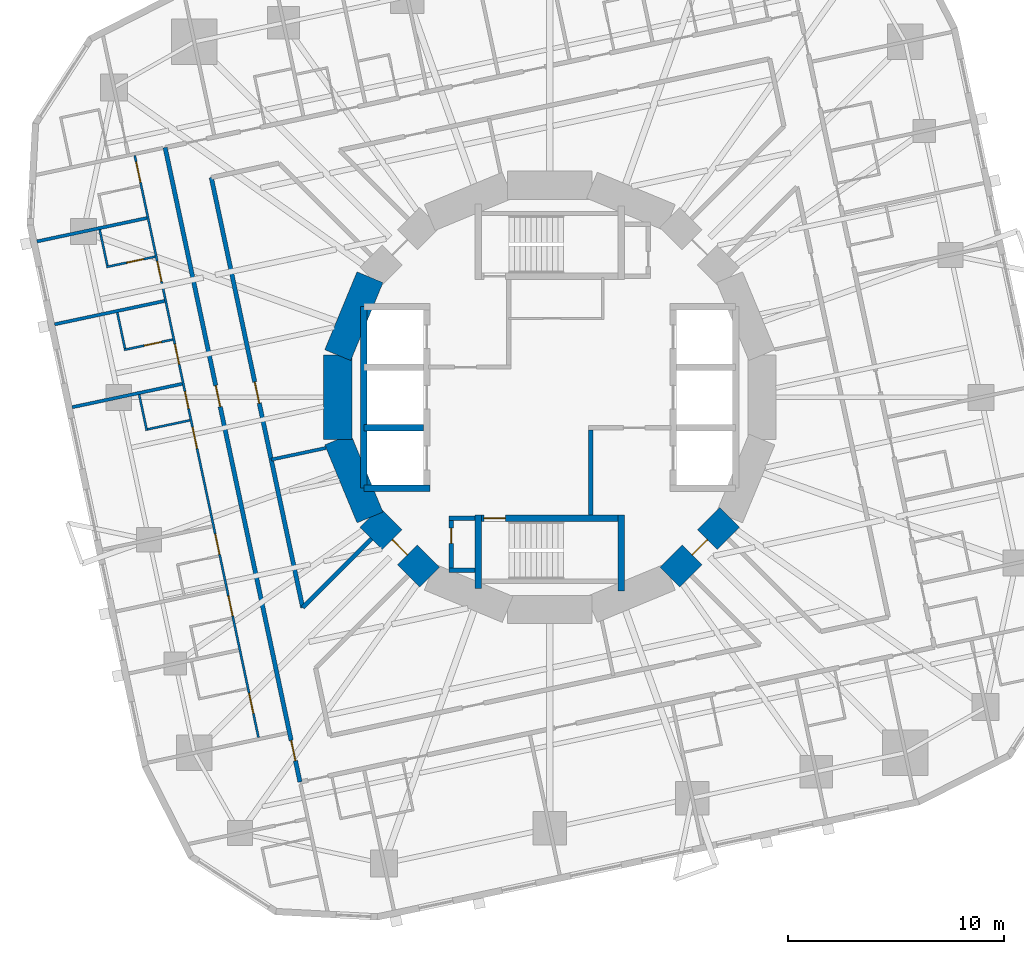
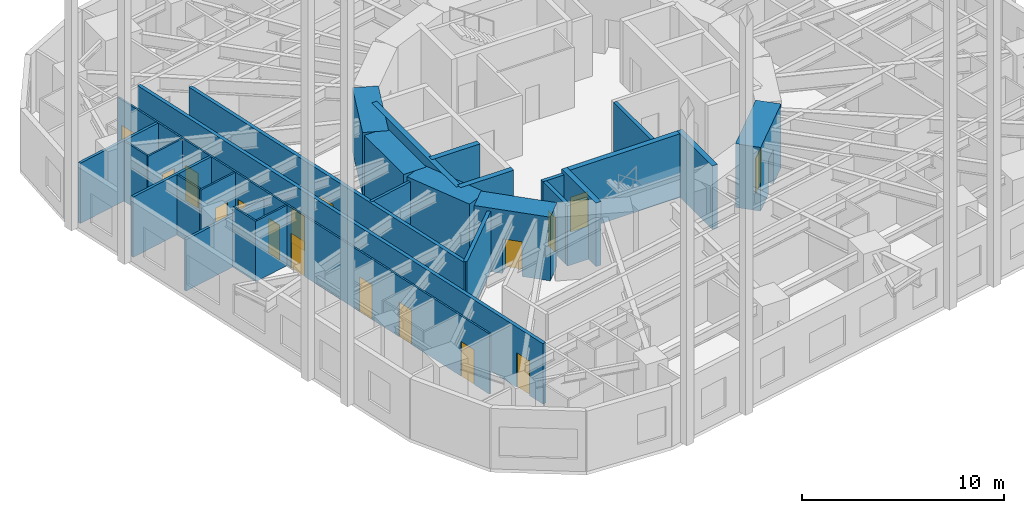
# One storey, part 6 of 12: 29 walls, 17 doors, 17 openings.
"""IFC4 building model written with IfcOpenShell, lengths in metres."""

from ifc_helpers import new_model, si_unit, direction, frame, frame_2d, origin, place, context, subcontext, project, spatial, rectangle, extrude, material, layer, layer_set, type_object, element, fill, save


model = new_model("IFC4")

# Units and contexts
model_context = context("Model", 3, precision=1e-05, world=origin(), true_north=direction((0.0, 1.0)))
body_context = subcontext(model_context, "Body", "Model", "MODEL_VIEW")
ifc_project = project(units=[si_unit("LENGTHUNIT", "METRE"), si_unit("AREAUNIT", "SQUARE_METRE"), si_unit("VOLUMEUNIT", "CUBIC_METRE"), si_unit("PLANEANGLEUNIT", "RADIAN"), si_unit("MASSUNIT", "GRAM", prefix="KILO")], contexts=[model_context])

# Site, building, storey
site_placement = place(None, origin())
site = spatial("IfcSite", under=ifc_project, at=site_placement, CompositionType="ELEMENT")
building_placement = place(site_placement, origin())
building = spatial("IfcBuilding", under=site, at=building_placement, Name="Nakasero Lantern House", CompositionType="ELEMENT")
storey_placement = place(building_placement, frame((0.0, 0.0, 101.14990234375)))
storey = spatial("IfcBuildingStorey", under=building, at=storey_placement, Name="L24", CompositionType="ELEMENT", Elevation=101.14990234375)

# Wall, openings, doors
ifc_material_1 = material(Name="Blockwork", Category="masonry")
ifc_layer_1 = layer(ifc_material_1, 0.10009765625)
ifc_layer_set_1 = layer_set([ifc_layer_1], Name="Cluster hall wall 100")
wall_type_1 = type_object("IfcWallType", Name="Cluster hall wall 100", PredefinedType="PARTITIONING", material=ifc_layer_set_1)
wall_1_placement = place(storey_placement, frame((-19.193603515625, 11.1787109375, 0.0), z_axis=(0.0, 0.0, 1.0), x_axis=(0.207915639441, -0.97814676142, 0.0)))
wall_1 = element("IfcWall", 1, at=wall_1_placement, inside=storey, type_object=wall_type_1, Name="Cluster hall wall L24 HW2-0", PredefinedType="PARTITIONING", context=body_context, shape_type="SweptSolid", body=[
    extrude(rectangle(XDim=27.513427734375, YDim=0.10009765625, at=frame_2d((13.7568359375, 0.0))), origin(), (0.0, 0.0, 1.0), 3.650146484375),
])
opening_1_placement = place(wall_1_placement, frame((12.848876953125, 0.0, 0.0)))
opening_1 = element("IfcOpeningElement", 2, at=opening_1_placement, cuts=wall_1, Name="Opening D03", PredefinedType="OPENING", context=body_context, shape_type="SweptSolid", body=[
    extrude(rectangle(XDim=1.0, YDim=2.10009765625, at=frame_2d((0.5, 1.050048828125))), frame((0.0, 0.070068359375, 0.0), z_axis=(0.0, -1.0, 0.0), x_axis=(1.0, 0.0, 0.0)), (0.0, 0.0, 1.0), 0.14013671875),
])
opening_2_placement = place(wall_1_placement, frame((11.155029296875, 0.0, 0.0)))
opening_2 = element("IfcOpeningElement", 3, at=opening_2_placement, cuts=wall_1, Name="Opening D02", PredefinedType="OPENING", context=body_context, shape_type="SweptSolid", body=[
    extrude(rectangle(XDim=0.800048828125, YDim=2.10009765625, at=frame_2d((0.39990234375, 1.050048828125))), frame((0.0, 0.070068359375, 0.0), z_axis=(0.0, -1.0, 0.0), x_axis=(1.0, 0.0, 0.0)), (0.0, 0.0, 1.0), 0.14013671875),
])
opening_3_placement = place(wall_1_placement, frame((0.300048828125, 0.0, 0.0)))
opening_3 = element("IfcOpeningElement", 4, at=opening_3_placement, cuts=wall_1, Name="Opening D01", PredefinedType="OPENING", context=body_context, shape_type="SweptSolid", body=[
    extrude(rectangle(XDim=0.949951171875, YDim=2.10009765625, at=frame_2d((0.47509765625, 1.050048828125))), frame((0.0, 0.070068359375, 0.0), z_axis=(0.0, -1.0, 0.0), x_axis=(1.0, 0.0, 0.0)), (0.0, 0.0, 1.0), 0.14013671875),
])
opening_4_placement = place(wall_1_placement, frame((4.9912109375, 0.0, 0.0)))
opening_4 = element("IfcOpeningElement", 5, at=opening_4_placement, cuts=wall_1, Name="Opening D01", PredefinedType="OPENING", context=body_context, shape_type="SweptSolid", body=[
    extrude(rectangle(XDim=0.949951171875, YDim=2.10009765625, at=frame_2d((0.47509765625, 1.050048828125))), frame((0.0, 0.070068359375, 0.0), z_axis=(0.0, -1.0, 0.0), x_axis=(1.0, 0.0, 0.0)), (0.0, 0.0, 1.0), 0.14013671875),
])
opening_5_placement = place(wall_1_placement, frame((8.91064453125, 0.0, 0.0)))
opening_5 = element("IfcOpeningElement", 6, at=opening_5_placement, cuts=wall_1, Name="Opening D01", PredefinedType="OPENING", context=body_context, shape_type="SweptSolid", body=[
    extrude(rectangle(XDim=0.949951171875, YDim=2.10009765625, at=frame_2d((0.47509765625, 1.050048828125))), frame((0.0, 0.070068359375, 0.0), z_axis=(0.0, -1.0, 0.0), x_axis=(1.0, 0.0, 0.0)), (0.0, 0.0, 1.0), 0.14013671875),
])
opening_6_placement = place(wall_1_placement, frame((17.892578125, 0.0, 0.0)))
opening_6 = element("IfcOpeningElement", 7, at=opening_6_placement, cuts=wall_1, Name="Opening D01", PredefinedType="OPENING", context=body_context, shape_type="SweptSolid", body=[
    extrude(rectangle(XDim=0.949951171875, YDim=2.10009765625, at=frame_2d((0.47509765625, 1.050048828125))), frame((0.0, 0.070068359375, 0.0), z_axis=(0.0, -1.0, 0.0), x_axis=(1.0, 0.0, 0.0)), (0.0, 0.0, 1.0), 0.14013671875),
])
opening_7_placement = place(wall_1_placement, frame((20.81884765625, 0.0, 0.0)))
opening_7 = element("IfcOpeningElement", 8, at=opening_7_placement, cuts=wall_1, Name="Opening D01", PredefinedType="OPENING", context=body_context, shape_type="SweptSolid", body=[
    extrude(rectangle(XDim=0.949951171875, YDim=2.10009765625, at=frame_2d((0.47509765625, 1.050048828125))), frame((0.0, 0.070068359375, 0.0), z_axis=(0.0, -1.0, 0.0), x_axis=(1.0, 0.0, 0.0)), (0.0, 0.0, 1.0), 0.14013671875),
])
opening_8_placement = place(wall_1_placement, frame((25.42041015625, 0.0, 0.0)))
opening_8 = element("IfcOpeningElement", 9, at=opening_8_placement, cuts=wall_1, Name="Opening D01", PredefinedType="OPENING", context=body_context, shape_type="SweptSolid", body=[
    extrude(rectangle(XDim=0.949951171875, YDim=2.10009765625, at=frame_2d((0.47509765625, 1.050048828125))), frame((0.0, 0.070068359375, 0.0), z_axis=(0.0, -1.0, 0.0), x_axis=(1.0, 0.0, 0.0)), (0.0, 0.0, 1.0), 0.14013671875),
])
ifc_material_2 = material(Name="Timber C24", Category="wood")
door_type_1 = type_object("IfcDoorType", Name="Bedroom door FD30S 950", OperationType="SINGLE_SWING_LEFT", PredefinedType="DOOR", material=ifc_material_2)
door_1_placement = place(opening_3_placement, origin())
door_1 = element("IfcDoor", 10, at=door_1_placement, inside=storey, type_object=door_type_1, Name="Door L24 D2-00", OperationType="SINGLE_SWING_LEFT", OverallHeight=2.10009765625, OverallWidth=0.949951171875, PredefinedType="DOOR", context=body_context, shape_type="SweptSolid", body=[
    extrude(rectangle(XDim=0.949951171875, YDim=2.10009765625, at=frame_2d((0.47509765625, 1.050048828125))), frame((0.0, 0.02490234375, 0.0), z_axis=(0.0, -1.0, 0.0), x_axis=(1.0, 0.0, 0.0)), (0.0, 0.0, 1.0), 0.050048828125),
])
fill(opening_3, door_1)
door_2_placement = place(opening_4_placement, origin())
door_2 = element("IfcDoor", 11, at=door_2_placement, inside=storey, type_object=door_type_1, Name="Door L24 D2-01", OperationType="SINGLE_SWING_LEFT", OverallHeight=2.10009765625, OverallWidth=0.949951171875, PredefinedType="DOOR", context=body_context, shape_type="SweptSolid", body=[
    extrude(rectangle(XDim=0.949951171875, YDim=2.10009765625, at=frame_2d((0.47509765625, 1.050048828125))), frame((0.0, 0.02490234375, 0.0), z_axis=(0.0, -1.0, 0.0), x_axis=(1.0, 0.0, 0.0)), (0.0, 0.0, 1.0), 0.050048828125),
])
fill(opening_4, door_2)
door_3_placement = place(opening_5_placement, origin())
door_3 = element("IfcDoor", 12, at=door_3_placement, inside=storey, type_object=door_type_1, Name="Door L24 D2-02", OperationType="SINGLE_SWING_LEFT", OverallHeight=2.10009765625, OverallWidth=0.949951171875, PredefinedType="DOOR", context=body_context, shape_type="SweptSolid", body=[
    extrude(rectangle(XDim=0.949951171875, YDim=2.10009765625, at=frame_2d((0.47509765625, 1.050048828125))), frame((0.0, 0.02490234375, 0.0), z_axis=(0.0, -1.0, 0.0), x_axis=(1.0, 0.0, 0.0)), (0.0, 0.0, 1.0), 0.050048828125),
])
fill(opening_5, door_3)
door_4_placement = place(opening_6_placement, origin())
door_4 = element("IfcDoor", 13, at=door_4_placement, inside=storey, type_object=door_type_1, Name="Door L24 D2-05", OperationType="SINGLE_SWING_RIGHT", OverallHeight=2.10009765625, OverallWidth=0.949951171875, PredefinedType="DOOR", context=body_context, shape_type="SweptSolid", body=[
    extrude(rectangle(XDim=0.949951171875, YDim=2.10009765625, at=frame_2d((0.47509765625, 1.050048828125))), frame((0.0, 0.02490234375, 0.0), z_axis=(0.0, -1.0, 0.0), x_axis=(1.0, 0.0, 0.0)), (0.0, 0.0, 1.0), 0.050048828125),
])
fill(opening_6, door_4)
door_5_placement = place(opening_7_placement, origin())
door_5 = element("IfcDoor", 14, at=door_5_placement, inside=storey, type_object=door_type_1, Name="Door L24 D2-06", OperationType="SINGLE_SWING_RIGHT", OverallHeight=2.10009765625, OverallWidth=0.949951171875, PredefinedType="DOOR", context=body_context, shape_type="SweptSolid", body=[
    extrude(rectangle(XDim=0.949951171875, YDim=2.10009765625, at=frame_2d((0.47509765625, 1.050048828125))), frame((0.0, 0.02490234375, 0.0), z_axis=(0.0, -1.0, 0.0), x_axis=(1.0, 0.0, 0.0)), (0.0, 0.0, 1.0), 0.050048828125),
])
fill(opening_7, door_5)
door_6_placement = place(opening_8_placement, origin())
door_6 = element("IfcDoor", 15, at=door_6_placement, inside=storey, type_object=door_type_1, Name="Door L24 D2-07", OperationType="SINGLE_SWING_RIGHT", OverallHeight=2.10009765625, OverallWidth=0.949951171875, PredefinedType="DOOR", context=body_context, shape_type="SweptSolid", body=[
    extrude(rectangle(XDim=0.949951171875, YDim=2.10009765625, at=frame_2d((0.47509765625, 1.050048828125))), frame((0.0, 0.02490234375, 0.0), z_axis=(0.0, -1.0, 0.0), x_axis=(1.0, 0.0, 0.0)), (0.0, 0.0, 1.0), 0.050048828125),
])
fill(opening_8, door_6)
ifc_material_3 = material(Name="Timber C24", Category="wood")
door_type_2 = type_object("IfcDoorType", Name="En-suite door 800", OperationType="SINGLE_SWING_RIGHT", PredefinedType="DOOR", material=ifc_material_3)
door_7_placement = place(opening_2_placement, origin())
door_7 = element("IfcDoor", 16, at=door_7_placement, inside=storey, type_object=door_type_2, Name="Door L24 DSH2-0", OperationType="SINGLE_SWING_LEFT", OverallHeight=2.10009765625, OverallWidth=0.800048828125, PredefinedType="DOOR", context=body_context, shape_type="SweptSolid", body=[
    extrude(rectangle(XDim=0.800048828125, YDim=2.10009765625, at=frame_2d((0.39990234375, 1.050048828125))), frame((0.0, 0.02490234375, 0.0), z_axis=(0.0, -1.0, 0.0), x_axis=(1.0, 0.0, 0.0)), (0.0, 0.0, 1.0), 0.050048828125),
])
fill(opening_2, door_7)
ifc_material_4 = material(Name="Timber C24", Category="wood")
door_type_3 = type_object("IfcDoorType", Name="Lounge door FD30S 1000", OperationType="SINGLE_SWING_LEFT", PredefinedType="DOOR", material=ifc_material_4)
door_8_placement = place(opening_1_placement, origin())
door_8 = element("IfcDoor", 17, at=door_8_placement, inside=storey, type_object=door_type_3, Name="Door L24 DH2-0", OperationType="SINGLE_SWING_LEFT", OverallHeight=2.10009765625, OverallWidth=1.0, PredefinedType="DOOR", context=body_context, shape_type="SweptSolid", body=[
    extrude(rectangle(XDim=1.0, YDim=2.10009765625, at=frame_2d((0.5, 1.050048828125))), frame((0.0, 0.02490234375, 0.0), z_axis=(0.0, -1.0, 0.0), x_axis=(1.0, 0.0, 0.0)), (0.0, 0.0, 1.0), 0.050048828125),
])
fill(opening_1, door_8)

# Walls
ifc_material_5 = material(Name="Concrete C50/60", Category="concrete")
ifc_layer_2 = layer(ifc_material_5, 0.300048828125)
ifc_layer_set_2 = layer_set([ifc_layer_2], Name="Core inner wall 300")
wall_type_2 = type_object("IfcWallType", Name="Core inner wall 300", PredefinedType="SHEAR", material=ifc_layer_set_2)
wall_2_placement = place(storey_placement, frame((-8.60009765625, -4.199951171875, 0.0), z_axis=(0.0, 0.0, 1.0), x_axis=(1.0, 0.0, 0.0)))
element("IfcWall", 18, at=wall_2_placement, inside=storey, type_object=wall_type_2, Name="Core inner wall L24 LWS", PredefinedType="SHEAR", context=body_context, shape_type="SweptSolid", body=[
    extrude(rectangle(XDim=3.050048828125, YDim=0.300048828125, at=frame_2d((1.52490234375, 0.0))), origin(), (0.0, 0.0, 1.0), 3.85009765625),
])
wall_3_placement = place(storey_placement, frame((-8.60009765625, -4.199951171875, 0.0), z_axis=(0.0, 0.0, 1.0), x_axis=(0.0, 1.0, 0.0)))
element("IfcWall", 19, at=wall_3_placement, inside=storey, type_object=wall_type_2, Name="Core inner wall L24 LWB", PredefinedType="SHEAR", context=body_context, shape_type="SweptSolid", body=[
    extrude(rectangle(XDim=8.39990234375, YDim=0.300048828125, at=frame_2d((4.199951171875, 0.0))), origin(), (0.0, 0.0, 1.0), 3.85009765625),
])
wall_4_placement = place(storey_placement, frame((-8.60009765625, -1.39990234375, 0.0), z_axis=(0.0, 0.0, 1.0), x_axis=(1.0, 0.0, 0.0)))
element("IfcWall", 20, at=wall_4_placement, inside=storey, type_object=wall_type_2, Name="Core inner wall L24 LW1", PredefinedType="SHEAR", context=body_context, shape_type="SweptSolid", body=[
    extrude(rectangle(XDim=2.75, YDim=0.300048828125, at=frame_2d((1.375, 0.0))), origin(), (0.0, 0.0, 1.0), 3.85009765625),
])

# Wall, opening, door
wall_5_placement = place(storey_placement, frame((-3.449951171875, -5.60009765625, 0.0), z_axis=(0.0, 0.0, 1.0), x_axis=(1.0, 0.0, 0.0)))
wall_5 = element("IfcWall", 21, at=wall_5_placement, inside=storey, type_object=wall_type_2, Name="Core inner wall L24 SS", PredefinedType="SHEAR", context=body_context, shape_type="SweptSolid", body=[
    extrude(rectangle(XDim=6.89990234375, YDim=0.300048828125, at=frame_2d((3.449951171875, 0.0))), origin(), (0.0, 0.0, 1.0), 3.85009765625),
])
opening_9_placement = place(wall_5_placement, frame((0.39990234375, 0.0, 0.0)))
opening_9 = element("IfcOpeningElement", 22, at=opening_9_placement, cuts=wall_5, Name="Opening D05", PredefinedType="OPENING", context=body_context, shape_type="SweptSolid", body=[
    extrude(rectangle(XDim=1.0, YDim=2.10009765625, at=frame_2d((0.5, 1.050048828125))), frame((0.0, 0.169921875, 0.0), z_axis=(0.0, -1.0, 0.0), x_axis=(1.0, 0.0, 0.0)), (0.0, 0.0, 1.0), 0.340087890625),
])
ifc_material_6 = material(Name="Timber C24", Category="wood")
door_type_4 = type_object("IfcDoorType", Name="Core door FD60S 1000", OperationType="SINGLE_SWING_LEFT", PredefinedType="DOOR", material=ifc_material_6)
door_9_placement = place(opening_9_placement, origin())
door_9 = element("IfcDoor", 23, at=door_9_placement, inside=storey, type_object=door_type_4, Name="Door L24 D-ST2", OperationType="SINGLE_SWING_LEFT", OverallHeight=2.10009765625, OverallWidth=1.0, PredefinedType="DOOR", context=body_context, shape_type="SweptSolid", body=[
    extrude(rectangle(XDim=1.0, YDim=2.10009765625, at=frame_2d((0.5, 1.050048828125))), frame((0.0, 0.02490234375, 0.0), z_axis=(0.0, -1.0, 0.0), x_axis=(1.0, 0.0, 0.0)), (0.0, 0.0, 1.0), 0.050048828125),
])
fill(opening_9, door_9)

# Walls
wall_6_placement = place(storey_placement, frame((-3.300048828125, -5.449951171875, 0.0), z_axis=(0.0, 0.0, 1.0), x_axis=(0.0, -1.0, 0.0)))
element("IfcWall", 24, at=wall_6_placement, inside=storey, type_object=wall_type_2, Name="Core inner wall L24 SSW", PredefinedType="SHEAR", context=body_context, shape_type="SweptSolid", body=[
    extrude(rectangle(XDim=3.400146484375, YDim=0.300048828125, at=frame_2d((1.7001953125, 0.0))), origin(), (0.0, 0.0, 1.0), 3.85009765625),
])
wall_7_placement = place(storey_placement, frame((3.300048828125, -5.449951171875, 0.0), z_axis=(0.0, 0.0, 1.0), x_axis=(0.0, -1.0, 0.0)))
element("IfcWall", 25, at=wall_7_placement, inside=storey, type_object=wall_type_2, Name="Core inner wall L24 SSE", PredefinedType="SHEAR", context=body_context, shape_type="SweptSolid", body=[
    extrude(rectangle(XDim=3.5, YDim=0.300048828125, at=frame_2d((1.75, 0.0))), origin(), (0.0, 0.0, 1.0), 3.85009765625),
])
ifc_material_7 = material(Name="Concrete C50/60", Category="concrete")
ifc_layer_3 = layer(ifc_material_7, 1.300048828125)
ifc_layer_set_3 = layer_set([ifc_layer_3], Name="Core wall 1300")
wall_type_3 = type_object("IfcWallType", Name="Core wall 1300", PredefinedType="SHEAR", material=ifc_layer_set_3)
for number, where, z_axis, x_axis, name in (
    (26, (-8.314697265625, 5.5556640625, 0.0), (0.0, 0.0, 1.0), (-0.382690736062, -0.923876507187, 0.0), "Core wall L24 facet 7"),
    (27, (-9.807861328125, 1.950927734375, 0.0), (0.0, 0.0, 1.0), (0.0, -1.0, 0.0), "Core wall L24 facet 8"),
    (28, (-9.807861328125, -1.950927734375, 0.0), (0.0, 0.0, 1.0), (0.382690736062, -0.923876507187, 0.0), "Core wall L24 facet 9"),
):
    element("IfcWall", number, at=place(storey_placement, frame(where, z_axis=z_axis, x_axis=x_axis)), inside=storey, type_object=wall_type_3, Name=name, PredefinedType="SHEAR", context=body_context, shape_type="SweptSolid", body=[
        extrude(rectangle(XDim=3.90185546875, YDim=1.300048828125, at=frame_2d((1.950927734375, 0.0))), origin(), (0.0, 0.0, 1.0), 3.85009765625),
    ])

# Wall, opening, door
wall_8_placement = place(storey_placement, frame((-8.314697265625, -5.5556640625, 0.0), z_axis=(0.0, 0.0, 1.0), x_axis=(0.707106781187, -0.707106781187, 0.0)))
wall_8 = element("IfcWall", 29, at=wall_8_placement, inside=storey, type_object=wall_type_3, Name="Core wall L24 facet 10", PredefinedType="SHEAR", context=body_context, shape_type="SweptSolid", body=[
    extrude(rectangle(XDim=3.90185546875, YDim=1.300048828125, at=frame_2d((1.950927734375, 0.0))), origin(), (0.0, 0.0, 1.0), 3.85009765625),
])
opening_10_placement = place(wall_8_placement, frame((1.450927734375, 0.0, 0.0)))
opening_10 = element("IfcOpeningElement", 30, at=opening_10_placement, cuts=wall_8, Name="Opening D05", PredefinedType="OPENING", context=body_context, shape_type="SweptSolid", body=[
    extrude(rectangle(XDim=1.0, YDim=2.10009765625, at=frame_2d((0.5, 1.050048828125))), frame((0.0, 0.669921875, 0.0), z_axis=(0.0, -1.0, 0.0), x_axis=(1.0, 0.0, 0.0)), (0.0, 0.0, 1.0), 1.340087890625),
])
door_10_placement = place(opening_10_placement, origin())
door_10 = element("IfcDoor", 31, at=door_10_placement, inside=storey, type_object=door_type_4, Name="Door L24 D-CORE10", OperationType="SINGLE_SWING_LEFT", OverallHeight=2.10009765625, OverallWidth=1.0, PredefinedType="DOOR", context=body_context, shape_type="SweptSolid", body=[
    extrude(rectangle(XDim=1.0, YDim=2.10009765625, at=frame_2d((0.5, 1.050048828125))), frame((0.0, 0.02490234375, 0.0), z_axis=(0.0, -1.0, 0.0), x_axis=(1.0, 0.0, 0.0)), (0.0, 0.0, 1.0), 0.050048828125),
])
fill(opening_10, door_10)

wall_9_placement = place(storey_placement, frame((5.5556640625, -8.314697265625, 0.0), z_axis=(0.0, 0.0, 1.0), x_axis=(0.707106781187, 0.707106781187, 0.0)))
wall_9 = element("IfcWall", 32, at=wall_9_placement, inside=storey, type_object=wall_type_3, Name="Core wall L24 facet 14", PredefinedType="SHEAR", context=body_context, shape_type="SweptSolid", body=[
    extrude(rectangle(XDim=3.90185546875, YDim=1.300048828125, at=frame_2d((1.950927734375, 0.0))), origin(), (0.0, 0.0, 1.0), 3.85009765625),
])
opening_11_placement = place(wall_9_placement, frame((1.450927734375, 0.0, 0.0)))
opening_11 = element("IfcOpeningElement", 33, at=opening_11_placement, cuts=wall_9, Name="Opening D05", PredefinedType="OPENING", context=body_context, shape_type="SweptSolid", body=[
    extrude(rectangle(XDim=1.0, YDim=2.10009765625, at=frame_2d((0.5, 1.050048828125))), frame((0.0, 0.669921875, 0.0), z_axis=(0.0, -1.0, 0.0), x_axis=(1.0, 0.0, 0.0)), (0.0, 0.0, 1.0), 1.340087890625),
])
door_11_placement = place(opening_11_placement, origin())
door_11 = element("IfcDoor", 34, at=door_11_placement, inside=storey, type_object=door_type_4, Name="Door L24 D-CORE14", OperationType="SINGLE_SWING_LEFT", OverallHeight=2.10009765625, OverallWidth=1.0, PredefinedType="DOOR", context=body_context, shape_type="SweptSolid", body=[
    extrude(rectangle(XDim=1.0, YDim=2.10009765625, at=frame_2d((0.5, 1.050048828125))), frame((0.0, 0.02490234375, 0.0), z_axis=(0.0, -1.0, 0.0), x_axis=(1.0, 0.0, 0.0)), (0.0, 0.0, 1.0), 0.050048828125),
])
fill(opening_11, door_11)

# Wall, openings, doors
ifc_material_8 = material(Name="Blockwork", Category="masonry")
ifc_layer_4 = layer(ifc_material_8, 0.199951171875)
ifc_layer_set_4 = layer_set([ifc_layer_4], Name="Corridor wall 200")
wall_type_4 = type_object("IfcWallType", Name="Corridor wall 200", PredefinedType="PARTITIONING", material=ifc_layer_set_4)
wall_10_placement = place(storey_placement, frame((-17.790771484375, 11.553466796875, 0.0), z_axis=(0.0, 0.0, 1.0), x_axis=(0.207911508826, -0.978147639417, 0.0)))
wall_10 = element("IfcWall", 35, at=wall_10_placement, inside=storey, type_object=wall_type_4, Name="Corridor wall L24 CW2", PredefinedType="PARTITIONING", context=body_context, shape_type="SweptSolid", body=[
    extrude(rectangle(XDim=29.999755859375, YDim=0.199951171875, at=frame_2d((15.0, 0.0))), origin(), (0.0, 0.0, 1.0), 3.650146484375),
])
opening_12_placement = place(wall_10_placement, frame((11.255126953125, 0.0, 0.0)))
opening_12 = element("IfcOpeningElement", 36, at=opening_12_placement, cuts=wall_10, Name="Opening D14", PredefinedType="OPENING", context=body_context, shape_type="SweptSolid", body=[
    extrude(rectangle(XDim=1.0, YDim=2.10009765625, at=frame_2d((0.5, 1.050048828125))), frame((0.0, 0.119873046875, 0.0), z_axis=(0.0, -1.0, 0.0), x_axis=(1.0, 0.0, 0.0)), (0.0, 0.0, 1.0), 0.239990234375),
])
opening_13_placement = place(wall_10_placement, frame((28.038330078125, 0.0, 0.0)))
opening_13 = element("IfcOpeningElement", 37, at=opening_13_placement, cuts=wall_10, Name="Opening D01", PredefinedType="OPENING", context=body_context, shape_type="SweptSolid", body=[
    extrude(rectangle(XDim=0.949951171875, YDim=2.10009765625, at=frame_2d((0.47509765625, 1.050048828125))), frame((0.0, 0.119873046875, 0.0), z_axis=(0.0, -1.0, 0.0), x_axis=(1.0, 0.0, 0.0)), (0.0, 0.0, 1.0), 0.239990234375),
])
door_12_placement = place(opening_13_placement, origin())
door_12 = element("IfcDoor", 38, at=door_12_placement, inside=storey, type_object=door_type_1, Name="Door L24 D2-08", OperationType="SINGLE_SWING_RIGHT", OverallHeight=2.10009765625, OverallWidth=0.949951171875, PredefinedType="DOOR", context=body_context, shape_type="SweptSolid", body=[
    extrude(rectangle(XDim=0.949951171875, YDim=2.10009765625, at=frame_2d((0.47509765625, 1.050048828125))), frame((0.0, 0.02490234375, 0.0), z_axis=(0.0, -1.0, 0.0), x_axis=(1.0, 0.0, 0.0)), (0.0, 0.0, 1.0), 0.050048828125),
])
fill(opening_13, door_12)
ifc_material_9 = material(Name="Timber C24", Category="wood")
door_type_5 = type_object("IfcDoorType", Name="Cluster entrance door FD30S 1000", OperationType="SINGLE_SWING_LEFT", PredefinedType="DOOR", material=ifc_material_9)
door_13_placement = place(opening_12_placement, origin())
door_13 = element("IfcDoor", 39, at=door_13_placement, inside=storey, type_object=door_type_5, Name="Door L24 DF2-0", OperationType="SINGLE_SWING_LEFT", OverallHeight=2.10009765625, OverallWidth=1.0, PredefinedType="DOOR", context=body_context, shape_type="SweptSolid", body=[
    extrude(rectangle(XDim=1.0, YDim=2.10009765625, at=frame_2d((0.5, 1.050048828125))), frame((0.0, 0.02490234375, 0.0), z_axis=(0.0, -1.0, 0.0), x_axis=(1.0, 0.0, 0.0)), (0.0, 0.0, 1.0), 0.050048828125),
])
fill(opening_12, door_13)

# Wall, opening, door
wall_11_placement = place(storey_placement, frame((-15.656005859375, 10.1669921875, 0.0), z_axis=(0.0, 0.0, 1.0), x_axis=(0.207914881985, -0.978146922425, 0.0)))
wall_11 = element("IfcWall", 40, at=wall_11_placement, inside=storey, type_object=wall_type_4, Name="Corridor wall L24 IW2-0", PredefinedType="PARTITIONING", context=body_context, shape_type="SweptSolid", body=[
    extrude(rectangle(XDim=20.34130859375, YDim=0.199951171875, at=frame_2d((10.170654296875, 0.0))), origin(), (0.0, 0.0, 1.0), 3.650146484375),
])
opening_14_placement = place(wall_11_placement, frame((9.670654296875, 0.0, 0.0)))
opening_14 = element("IfcOpeningElement", 41, at=opening_14_placement, cuts=wall_11, Name="Opening D07", PredefinedType="OPENING", context=body_context, shape_type="SweptSolid", body=[
    extrude(rectangle(XDim=1.0, YDim=2.10009765625, at=frame_2d((0.5, 1.050048828125))), frame((0.0, 0.119873046875, 0.0), z_axis=(0.0, -1.0, 0.0), x_axis=(1.0, 0.0, 0.0)), (0.0, 0.0, 1.0), 0.239990234375),
])
ifc_material_10 = material(Name="Timber C24", Category="wood")
door_type_6 = type_object("IfcDoorType", Name="Room door FD30S 1000", OperationType="SINGLE_SWING_LEFT", PredefinedType="DOOR", material=ifc_material_10)
door_14_placement = place(opening_14_placement, origin())
door_14 = element("IfcDoor", 42, at=door_14_placement, inside=storey, type_object=door_type_6, Name="Door L24 DI7", OperationType="SINGLE_SWING_LEFT", OverallHeight=2.10009765625, OverallWidth=1.0, PredefinedType="DOOR", context=body_context, shape_type="SweptSolid", body=[
    extrude(rectangle(XDim=1.0, YDim=2.10009765625, at=frame_2d((0.5, 1.050048828125))), frame((0.0, 0.02490234375, 0.0), z_axis=(0.0, -1.0, 0.0), x_axis=(1.0, 0.0, 0.0)), (0.0, 0.0, 1.0), 0.050048828125),
])
fill(opening_14, door_14)

# Walls
wall_12_placement = place(storey_placement, frame((-8.243408203125, -6.54638671875, 0.0), z_axis=(0.0, 0.0, 1.0), x_axis=(-0.707106781187, -0.707106781187, 0.0)))
element("IfcWall", 43, at=wall_12_placement, inside=storey, type_object=wall_type_4, Name="Corridor wall L24 PS10b", PredefinedType="PARTITIONING", context=body_context, shape_type="SweptSolid", body=[
    extrude(rectangle(XDim=4.501953125, YDim=0.199951171875, at=frame_2d((2.2509765625, 0.0))), origin(), (0.0, 0.0, 1.0), 3.650146484375),
])
ifc_material_11 = material(Name="Blockwork", Category="masonry")
ifc_layer_5 = layer(ifc_material_11, 0.10009765625)
ifc_layer_set_5 = layer_set([ifc_layer_5], Name="En-suite wall 100")
wall_type_5 = type_object("IfcWallType", Name="En-suite wall 100", PredefinedType="PARTITIONING", material=ifc_layer_set_5)
wall_13_placement = place(storey_placement, frame((-16.642578125, -1.0634765625, 0.0), z_axis=(0.0, 0.0, 1.0), x_axis=(-0.978134617382, -0.207972763311, 0.0)))
element("IfcWall", 44, at=wall_13_placement, inside=storey, type_object=wall_type_5, Name="En-suite wall L24 SS2-0", PredefinedType="PARTITIONING", context=body_context, shape_type="SweptSolid", body=[
    extrude(rectangle(XDim=2.10009765625, YDim=0.10009765625, at=frame_2d((1.050048828125, 0.0))), origin(), (0.0, 0.0, 1.0), 3.650146484375),
])
wall_14_placement = place(storey_placement, frame((-18.99072265625, 0.124267578125, 0.0), z_axis=(0.0, 0.0, 1.0), x_axis=(0.207812379357, -0.978168704767, 0.0)))
element("IfcWall", 45, at=wall_14_placement, inside=storey, type_object=wall_type_5, Name="En-suite wall L24 SE2-0", PredefinedType="PARTITIONING", context=body_context, shape_type="SweptSolid", body=[
    extrude(rectangle(XDim=1.699951171875, YDim=0.10009765625, at=frame_2d((0.85009765625, 0.0))), origin(), (0.0, 0.0, 1.0), 3.650146484375),
])

# Wall, opening, door
wall_15_placement = place(storey_placement, frame((-18.25146484375, 6.50634765625, 0.0), z_axis=(0.0, 0.0, 1.0), x_axis=(-0.978141312374, -0.207941273027, 0.0)))
wall_15 = element("IfcWall", 46, at=wall_15_placement, inside=storey, type_object=wall_type_5, Name="En-suite wall L24 ES2-01", PredefinedType="PARTITIONING", context=body_context, shape_type="SweptSolid", body=[
    extrude(rectangle(XDim=2.300048828125, YDim=0.10009765625, at=frame_2d((1.14990234375, 0.0))), origin(), (0.0, 0.0, 1.0), 3.650146484375),
])
opening_15_placement = place(wall_15_placement, frame((0.550048828125, 0.0, 0.0)))
opening_15 = element("IfcOpeningElement", 47, at=opening_15_placement, cuts=wall_15, Name="Opening D02", PredefinedType="OPENING", context=body_context, shape_type="SweptSolid", body=[
    extrude(rectangle(XDim=0.800048828125, YDim=2.10009765625, at=frame_2d((0.39990234375, 1.050048828125))), frame((0.0, 0.070068359375, 0.0), z_axis=(0.0, -1.0, 0.0), x_axis=(1.0, 0.0, 0.0)), (0.0, 0.0, 1.0), 0.14013671875),
])
door_15_placement = place(opening_15_placement, origin())
door_15 = element("IfcDoor", 48, at=door_15_placement, inside=storey, type_object=door_type_2, Name="Door L24 DE2-01", OperationType="SINGLE_SWING_LEFT", OverallHeight=2.10009765625, OverallWidth=0.800048828125, PredefinedType="DOOR", context=body_context, shape_type="SweptSolid", body=[
    extrude(rectangle(XDim=0.800048828125, YDim=2.10009765625, at=frame_2d((0.39990234375, 1.050048828125))), frame((0.0, 0.02490234375, 0.0), z_axis=(0.0, -1.0, 0.0), x_axis=(1.0, 0.0, 0.0)), (0.0, 0.0, 1.0), 0.050048828125),
])
fill(opening_15, door_15)

# Wall
wall_16_placement = place(storey_placement, frame((-20.816162109375, 7.750244140625, 0.0), z_axis=(0.0, 0.0, 1.0), x_axis=(0.207812379357, -0.978168704767, 0.0)))
element("IfcWall", 49, at=wall_16_placement, inside=storey, type_object=wall_type_5, Name="En-suite wall L24 EE2-01", PredefinedType="PARTITIONING", context=body_context, shape_type="SweptSolid", body=[
    extrude(rectangle(XDim=1.699951171875, YDim=0.10009765625, at=frame_2d((0.85009765625, 0.0))), origin(), (0.0, 0.0, 1.0), 3.650146484375),
])

# Wall, opening, door
wall_17_placement = place(storey_placement, frame((-17.436767578125, 2.67236328125, 0.0), z_axis=(0.0, 0.0, 1.0), x_axis=(-0.978162897375, -0.207839712757, 0.0)))
wall_17 = element("IfcWall", 50, at=wall_17_placement, inside=storey, type_object=wall_type_5, Name="En-suite wall L24 ES2-02", PredefinedType="PARTITIONING", context=body_context, shape_type="SweptSolid", body=[
    extrude(rectangle(XDim=2.300048828125, YDim=0.10009765625, at=frame_2d((1.14990234375, 0.0))), origin(), (0.0, 0.0, 1.0), 3.650146484375),
])
opening_16_placement = place(wall_17_placement, frame((0.550048828125, 0.0, 0.0)))
opening_16 = element("IfcOpeningElement", 51, at=opening_16_placement, cuts=wall_17, Name="Opening D02", PredefinedType="OPENING", context=body_context, shape_type="SweptSolid", body=[
    extrude(rectangle(XDim=0.800048828125, YDim=2.10009765625, at=frame_2d((0.39990234375, 1.050048828125))), frame((0.0, 0.070068359375, 0.0), z_axis=(0.0, -1.0, 0.0), x_axis=(1.0, 0.0, 0.0)), (0.0, 0.0, 1.0), 0.14013671875),
])
door_16_placement = place(opening_16_placement, origin())
door_16 = element("IfcDoor", 52, at=door_16_placement, inside=storey, type_object=door_type_2, Name="Door L24 DE2-02", OperationType="SINGLE_SWING_LEFT", OverallHeight=2.10009765625, OverallWidth=0.800048828125, PredefinedType="DOOR", context=body_context, shape_type="SweptSolid", body=[
    extrude(rectangle(XDim=0.800048828125, YDim=2.10009765625, at=frame_2d((0.39990234375, 1.050048828125))), frame((0.0, 0.02490234375, 0.0), z_axis=(0.0, -1.0, 0.0), x_axis=(1.0, 0.0, 0.0)), (0.0, 0.0, 1.0), 0.050048828125),
])
fill(opening_16, door_16)

# Walls
wall_18_placement = place(storey_placement, frame((-20.00146484375, 3.91650390625, 0.0), z_axis=(0.0, 0.0, 1.0), x_axis=(0.207949787024, -0.97813950236, 0.0)))
element("IfcWall", 53, at=wall_18_placement, inside=storey, type_object=wall_type_5, Name="En-suite wall L24 EE2-02", PredefinedType="PARTITIONING", context=body_context, shape_type="SweptSolid", body=[
    extrude(rectangle(XDim=1.699951171875, YDim=0.10009765625, at=frame_2d((0.85009765625, 0.0))), origin(), (0.0, 0.0, 1.0), 3.650146484375),
])
ifc_material_12 = material(Name="Blockwork", Category="masonry")
ifc_layer_6 = layer(ifc_material_12, 0.199951171875)
ifc_layer_set_6 = layer_set([ifc_layer_6], Name="Fire lobby wall 200")
wall_type_6 = type_object("IfcWallType", Name="Fire lobby wall 200", PredefinedType="PARTITIONING", material=ifc_layer_set_6)
wall_19_placement = place(storey_placement, frame((1.89990234375, -1.5, 0.0), z_axis=(0.0, 0.0, 1.0), x_axis=(0.0, -1.0, 0.0)))
element("IfcWall", 54, at=wall_19_placement, inside=storey, type_object=wall_type_6, Name="Fire lobby wall L24 W-FL2W", PredefinedType="PARTITIONING", context=body_context, shape_type="SweptSolid", body=[
    extrude(rectangle(XDim=3.949951171875, YDim=0.199951171875, at=frame_2d((1.97509765625, 0.0))), origin(), (0.0, 0.0, 1.0), 3.650146484375),
])

# Wall, opening, door
wall_20_placement = place(storey_placement, frame((-4.550048828125, -5.60009765625, 0.0), z_axis=(0.0, 0.0, 1.0), x_axis=(0.0, -1.0, 0.0)))
wall_20 = element("IfcWall", 55, at=wall_20_placement, inside=storey, type_object=wall_type_6, Name="Fire lobby wall L24 W-RS2W", PredefinedType="PARTITIONING", context=body_context, shape_type="SweptSolid", body=[
    extrude(rectangle(XDim=2.39990234375, YDim=0.199951171875, at=frame_2d((1.199951171875, 0.0))), origin(), (0.0, 0.0, 1.0), 3.650146484375),
])
opening_17_placement = place(wall_20_placement, frame((0.449951171875, 0.0, 0.0)))
opening_17 = element("IfcOpeningElement", 56, at=opening_17_placement, cuts=wall_20, Name="Opening D06", PredefinedType="OPENING", context=body_context, shape_type="SweptSolid", body=[
    extrude(rectangle(XDim=0.699951171875, YDim=2.10009765625, at=frame_2d((0.35009765625, 1.050048828125))), frame((0.0, 0.119873046875, 0.0), z_axis=(0.0, -1.0, 0.0), x_axis=(1.0, 0.0, 0.0)), (0.0, 0.0, 1.0), 0.239990234375),
])
ifc_material_13 = material(Name="Steel S355", Category="steel")
door_type_7 = type_object("IfcDoorType", Name="Riser door FD60 700", OperationType="SINGLE_SWING_LEFT", PredefinedType="DOOR", material=ifc_material_13)
door_17_placement = place(opening_17_placement, origin())
door_17 = element("IfcDoor", 57, at=door_17_placement, inside=storey, type_object=door_type_7, Name="Door L24 D-RS2", OperationType="SINGLE_SWING_LEFT", OverallHeight=2.10009765625, OverallWidth=0.699951171875, PredefinedType="DOOR", context=body_context, shape_type="SweptSolid", body=[
    extrude(rectangle(XDim=0.699951171875, YDim=2.10009765625, at=frame_2d((0.35009765625, 1.050048828125))), frame((0.0, 0.02490234375, 0.0), z_axis=(0.0, -1.0, 0.0), x_axis=(1.0, 0.0, 0.0)), (0.0, 0.0, 1.0), 0.050048828125),
])
fill(opening_17, door_17)

# Walls
for number, where, z_axis, x_axis, name in (
    (58, (-3.449951171875, -8.0, 0.0), (0.0, 0.0, 1.0), (-1.0, 0.0, 0.0), "Fire lobby wall L24 W-RS2S"),
    (59, (-3.449951171875, -5.60009765625, 0.0), (0.0, 0.0, 1.0), (-1.0, 0.0, 0.0), "Fire lobby wall L24 W-RS2N"),
):
    element("IfcWall", number, at=place(storey_placement, frame(where, z_axis=z_axis, x_axis=x_axis)), inside=storey, type_object=wall_type_6, Name=name, PredefinedType="PARTITIONING", context=body_context, shape_type="SweptSolid", body=[
        extrude(rectangle(XDim=1.199951171875, YDim=0.199951171875, at=frame_2d((0.60009765625, 0.0))), origin(), (0.0, 0.0, 1.0), 3.650146484375),
    ])
ifc_material_14 = material(Name="Blockwork", Category="masonry")
ifc_layer_7 = layer(ifc_material_14, 0.14990234375)
ifc_layer_set_7 = layer_set([ifc_layer_7], Name="Party wall 150")
wall_type_7 = type_object("IfcWallType", Name="Party wall 150", PredefinedType="PARTITIONING", material=ifc_layer_set_7)
for number, where, z_axis, x_axis, name in (
    (60, (-18.631103515625, 8.29150390625, 0.0), (0.0, 0.0, 1.0), (-0.978139873931, -0.207948039247, 0.0), "Party wall L24 PW2-01"),
    (61, (-17.816162109375, 4.45751953125, 0.0), (0.0, 0.0, 1.0), (-0.978151452323, -0.207893569688, 0.0), "Party wall L24 PW2-02"),
):
    element("IfcWall", number, at=place(storey_placement, frame(where, z_axis=z_axis, x_axis=x_axis)), inside=storey, type_object=wall_type_7, Name=name, PredefinedType="PARTITIONING", context=body_context, shape_type="SweptSolid", body=[
        extrude(rectangle(XDim=5.199951171875, YDim=0.14990234375, at=frame_2d((2.60009765625, 0.0))), origin(), (0.0, 0.0, 1.0), 3.650146484375),
    ])
wall_21_placement = place(storey_placement, frame((-17.001220703125, 0.623779296875, 0.0), z_axis=(0.0, 0.0, 1.0), x_axis=(-0.978141904084, -0.207938489641, 0.0)))
element("IfcWall", 62, at=wall_21_placement, inside=storey, type_object=wall_type_7, Name="Party wall L24 PW2-03", PredefinedType="PARTITIONING", context=body_context, shape_type="SweptSolid", body=[
    extrude(rectangle(XDim=5.2001953125, YDim=0.14990234375, at=frame_2d((2.60009765625, 0.0))), origin(), (0.0, 0.0, 1.0), 3.121826171875),
])
wall_22_placement = place(storey_placement, frame((-12.88232421875, -2.88134765625, 0.0), z_axis=(0.0, 0.0, 1.0), x_axis=(0.978137762495, 0.207957970708, 0.0)))
element("IfcWall", 63, at=wall_22_placement, inside=storey, type_object=wall_type_7, Name="Party wall L24 IM2", PredefinedType="PARTITIONING", context=body_context, shape_type="SweptSolid", body=[
    extrude(rectangle(XDim=2.58984375, YDim=0.14990234375, at=frame_2d((1.294921875, 0.0))), origin(), (0.0, 0.0, 1.0), 3.650146484375),
])

save(model, "model.ifc")
